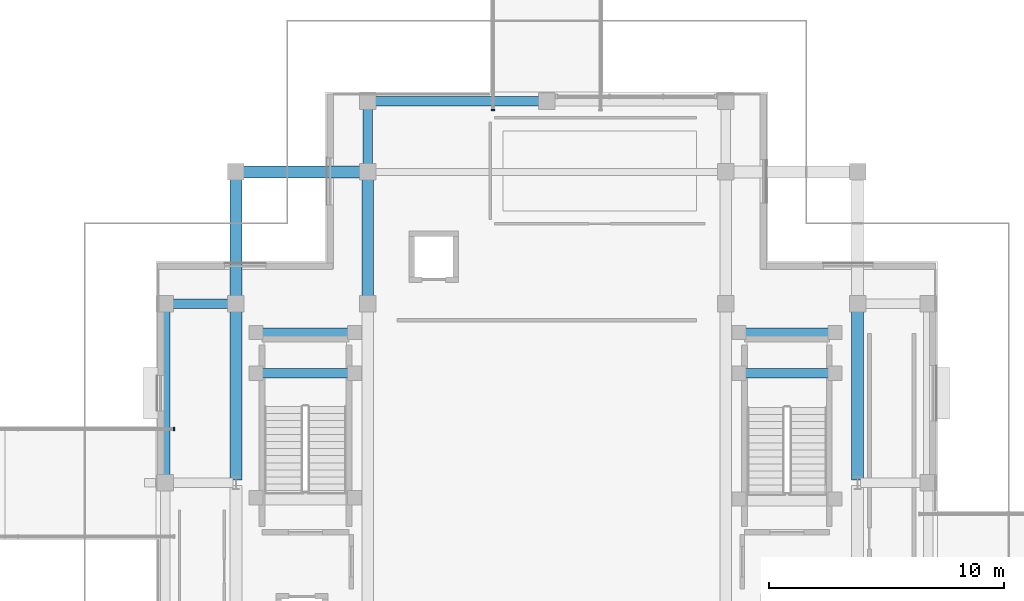
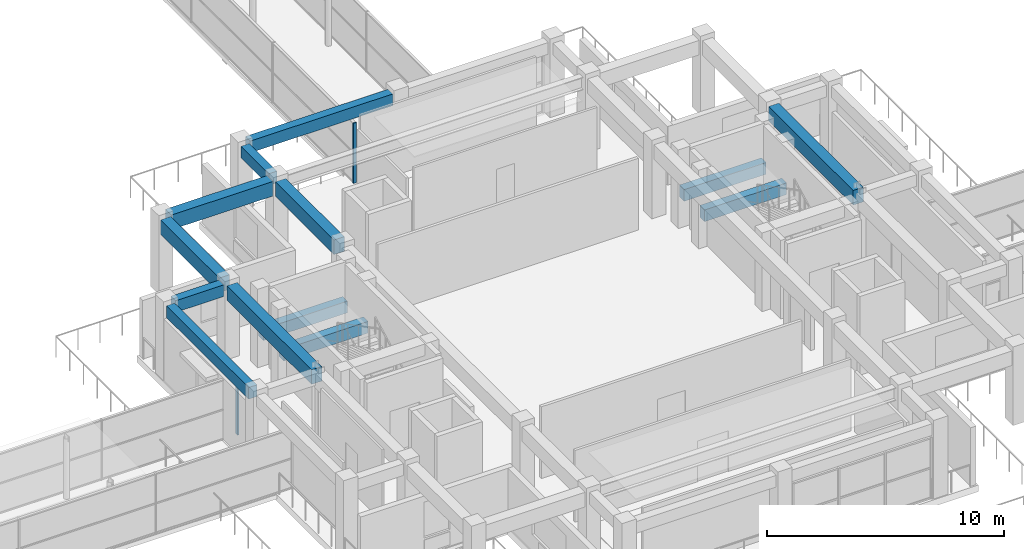
# One storey, part 14 of 53: 13 beams, 2 members, 2 elements without a shape of their own.
"""IFC4 building model written with IfcOpenShell, lengths in metres."""

from ifc_helpers import new_model, si_unit, direction, frame, origin, origin_2d, place, context, subcontext, project, spatial, rectangle, extrude, material, material_profile, profile_set, type_object, element, aggregate, save


model = new_model("IFC4")

# Units and contexts
model_context = context("Model", 3, precision=1e-05, world=origin(), true_north=direction((0.0, 1.0)))
body_context = subcontext(model_context, "Body", "Model", "MODEL_VIEW")
ifc_project = project(units=[si_unit("LENGTHUNIT", "METRE"), si_unit("AREAUNIT", "SQUARE_METRE"), si_unit("VOLUMEUNIT", "CUBIC_METRE"), si_unit("PLANEANGLEUNIT", "RADIAN"), si_unit("MASSUNIT", "GRAM", prefix="KILO")], contexts=[model_context])

# Site, building, storey
site_placement = place(None, origin())
site = spatial("IfcSite", under=ifc_project, at=site_placement, CompositionType="ELEMENT")
building_placement = place(site_placement, origin())
building = spatial("IfcBuilding", under=site, at=building_placement, Name="Saryqyr Civic Hall", CompositionType="ELEMENT")
storey_placement = place(building_placement, frame((0.0, 0.0, 21.300048828125)))
storey = spatial("IfcBuildingStorey", under=building, at=storey_placement, Name="L05", CompositionType="ELEMENT", Elevation=21.300048828125)

# Curtain wall, member
ifc_material_1 = material(Name="Anodised aluminium and triple low-E glass", Category="aluminium")
curtain_wall_type_1 = type_object("IfcCurtainWallType", Name="ENV-CW-STD-86", PredefinedType="NOTDEFINED", material=ifc_material_1)
curtain_wall_1_placement = place(storey_placement, origin())
curtain_wall_1 = element("IfcCurtainWall", 1, at=curtain_wall_1_placement, inside=storey, type_object=curtain_wall_type_1, Name="Curtain wall BR-CW-CW2-L05", PredefinedType="NOTDEFINED")
ifc_material_2 = material(Name="Anodised aluminium", Category="aluminium")
ifc_material_profile_1 = material_profile(ifc_material_2, rectangle(XDim=0.06005859375, YDim=0.159912109375, at=origin_2d()), Name="ALU MULLION 60x160")
ifc_profile_set_1 = profile_set([ifc_material_profile_1], Name="Anodised aluminium")
member_type = type_object("IfcMemberType", Name="ENV-CW-MUL-180", PredefinedType="MULLION", material=ifc_profile_set_1)
member_1_placement = place(storey_placement, frame((41.169921875, 86.280029296875, 0.0), z_axis=(0.0, 0.0, 1.0), x_axis=(1.0, 0.0, 0.0)))
member_1 = element("IfcMember", 2, at=member_1_placement, type_object=member_type, Name="CW-86 mullion 4", PredefinedType="MULLION", context=body_context, shape_type="SweptSolid", body=[
    extrude(rectangle(XDim=0.06005859375, YDim=0.159912109375, at=origin_2d()), origin(), (0.0, 0.0, 1.0), 3.099853515625),
])
aggregate(curtain_wall_1, [member_1])

curtain_wall_type_2 = type_object("IfcCurtainWallType", Name="ENV-CW-STD-88", PredefinedType="NOTDEFINED", material=ifc_material_1)
curtain_wall_2_placement = place(storey_placement, origin())
curtain_wall_2 = element("IfcCurtainWall", 3, at=curtain_wall_2_placement, inside=storey, type_object=curtain_wall_type_2, Name="Curtain wall BR-CN-CW1-L05", PredefinedType="NOTDEFINED")
member_2_placement = place(storey_placement, frame((54.719970703125, 99.830078125, 0.0), z_axis=(0.0, 0.0, 1.0), x_axis=(0.0, 1.0, 0.0)))
member_2 = element("IfcMember", 4, at=member_2_placement, type_object=member_type, Name="CW-88 mullion 1", PredefinedType="MULLION", context=body_context, shape_type="SweptSolid", body=[
    extrude(rectangle(XDim=0.06005859375, YDim=0.159912109375, at=origin_2d()), origin(), (0.0, 0.0, 1.0), 3.099853515625),
])
aggregate(curtain_wall_2, [member_2])

# Beams
ifc_material_3 = material(Name="Concrete C35/45", Category="concrete")
ifc_material_profile_2 = material_profile(ifc_material_3, rectangle(XDim=0.39990234375, YDim=0.60009765625, at=origin_2d()), Name="RC 400x600")
ifc_profile_set_2 = profile_set([ifc_material_profile_2], Name="Concrete C35/45")
beam_type_1 = type_object("IfcBeamType", Name="STR-BM-RC400x600", PredefinedType="BEAM", material=ifc_profile_set_2)
for number, where, z_axis, x_axis, name in (
    (5, (41.125, 91.60009765625, 3.489990234375), (1.0, 0.0, 0.0), (0.0, 1.0, 0.0), "Beam V1-TBM-03-L05"),
    (6, (49.39990234375, 97.52490234375, 3.489990234375), (0.0, 1.0, 0.0), (-1.0, 0.0, 0.0), "Beam V1-TBM-09-L05"),
):
    element("IfcBeam", number, at=place(storey_placement, frame(where, z_axis=z_axis, x_axis=x_axis)), inside=storey, type_object=beam_type_1, Name=name, PredefinedType="BEAM", context=body_context, shape_type="SweptSolid", body=[
        extrude(rectangle(XDim=0.39990234375, YDim=0.60009765625, at=origin_2d()), origin(), (0.0, 0.0, 1.0), 2.35009765625),
    ])
for number, where, z_axis, x_axis, name in (
    (7, (40.800048828125, 84.324951171875, 3.489990234375), (0.0, 1.0, 0.0), (-1.0, 0.0, 0.0), "Beam V1-TBM-12-L05"),
    (8, (49.72509765625, 100.199951171875, 3.489990234375), (1.0, 0.0, 0.0), (0.0, 1.0, 0.0), "Beam V1-TBM-17-L05"),
):
    element("IfcBeam", number, at=place(storey_placement, frame(where, z_axis=z_axis, x_axis=x_axis)), inside=storey, type_object=beam_type_1, Name=name, PredefinedType="BEAM", context=body_context, shape_type="SweptSolid", body=[
        extrude(rectangle(XDim=0.39990234375, YDim=0.60009765625, at=origin_2d()), origin(), (0.0, 0.0, 1.0), 6.949951171875),
    ])
for number, where, z_axis, x_axis, name in (
    (9, (48.800048828125, 88.64990234375, 1.52490234375), (-1.0, 0.0, 0.0), (0.0, -1.0, 0.0), "Stair half-landing support beam ST-1-LND1-L05"),
    (10, (48.800048828125, 90.3798828125, 1.52490234375), (-1.0, 0.0, 0.0), (0.0, -1.0, 0.0), "Stair half-landing support beam ST-1-LND2-L05"),
):
    element("IfcBeam", number, at=place(storey_placement, frame(where, z_axis=z_axis, x_axis=x_axis)), inside=storey, type_object=beam_type_1, Name=name, PredefinedType="BEAM", context=body_context, shape_type="SweptSolid", body=[
        extrude(rectangle(XDim=0.39990234375, YDim=0.60009765625, at=origin_2d()), origin(), (0.0, 0.0, 1.0), 4.10009765625),
    ])
for number, where, z_axis, x_axis, name in (
    (11, (69.199951171875, 88.64990234375, 1.52490234375), (-1.0, 0.0, 0.0), (0.0, -1.0, 0.0), "Stair half-landing support beam ST-2-LND1-L05"),
    (12, (69.199951171875, 90.3798828125, 1.52490234375), (-1.0, 0.0, 0.0), (0.0, -1.0, 0.0), "Stair half-landing support beam ST-2-LND2-L05"),
):
    element("IfcBeam", number, at=place(storey_placement, frame(where, z_axis=z_axis, x_axis=x_axis)), inside=storey, type_object=beam_type_1, Name=name, PredefinedType="BEAM", context=body_context, shape_type="SweptSolid", body=[
        extrude(rectangle(XDim=0.39990234375, YDim=0.60009765625, at=origin_2d()), origin(), (0.0, 0.0, 1.0), 4.0),
    ])
ifc_material_4 = material(Name="Concrete C40/50", Category="concrete")
ifc_material_profile_3 = material_profile(ifc_material_4, rectangle(XDim=0.5, YDim=0.75, at=origin_2d()), Name="RC 500x750")
ifc_profile_set_3 = profile_set([ifc_material_profile_3], Name="Concrete C40/50")
beam_type_2 = type_object("IfcBeamType", Name="STR-BM-RC500x750", PredefinedType="BEAM", material=ifc_profile_set_3)
beam_1_placement = place(storey_placement, frame((44.125, 97.199951171875, 3.4150390625), z_axis=(1.0, 0.0, 0.0), x_axis=(0.0, 1.0, 0.0)))
element("IfcBeam", 13, at=beam_1_placement, inside=storey, type_object=beam_type_2, Name="Beam V1-WBM-W4-L05", PredefinedType="BEAM", context=body_context, shape_type="SweptSolid", body=[
    extrude(rectangle(XDim=0.5, YDim=0.75, at=origin_2d()), origin(), (0.0, 0.0, 1.0), 4.949951171875),
])
beam_2_placement = place(storey_placement, frame((43.800048828125, 84.125, 3.4150390625), z_axis=(0.0, 1.0, 0.0), x_axis=(-1.0, 0.0, 0.0)))
element("IfcBeam", 14, at=beam_2_placement, inside=storey, type_object=beam_type_2, Name="Beam V1-BM-NS1B-L05", PredefinedType="BEAM", context=body_context, shape_type="SweptSolid", body=[
    extrude(rectangle(XDim=0.5, YDim=0.75, at=origin_2d()), origin(), (0.0, 0.0, 1.0), 7.14990234375),
])
for number, where, z_axis, x_axis, name in (
    (15, (43.800048828125, 91.925048828125, 3.4150390625), (0.0, 1.0, 0.0), (-1.0, 0.0, 0.0), "Beam V1-BM-NS13-L05"),
    (16, (49.39990234375, 91.925048828125, 3.4150390625), (0.0, 1.0, 0.0), (-1.0, 0.0, 0.0), "Beam V1-BM-NS23-L05"),
):
    element("IfcBeam", number, at=place(storey_placement, frame(where, z_axis=z_axis, x_axis=x_axis)), inside=storey, type_object=beam_type_2, Name=name, PredefinedType="BEAM", context=body_context, shape_type="SweptSolid", body=[
        extrude(rectangle(XDim=0.5, YDim=0.75, at=origin_2d()), origin(), (0.0, 0.0, 1.0), 4.949951171875),
    ])
beam_3_placement = place(storey_placement, frame((70.199951171875, 84.125, 3.4150390625), z_axis=(0.0, 1.0, 0.0), x_axis=(-1.0, 0.0, 0.0)))
element("IfcBeam", 17, at=beam_3_placement, inside=storey, type_object=beam_type_2, Name="Beam V1-BM-NS4B-L05", PredefinedType="BEAM", context=body_context, shape_type="SweptSolid", body=[
    extrude(rectangle(XDim=0.5, YDim=0.75, at=origin_2d()), origin(), (0.0, 0.0, 1.0), 7.14990234375),
])

save(model, "model.ifc")
